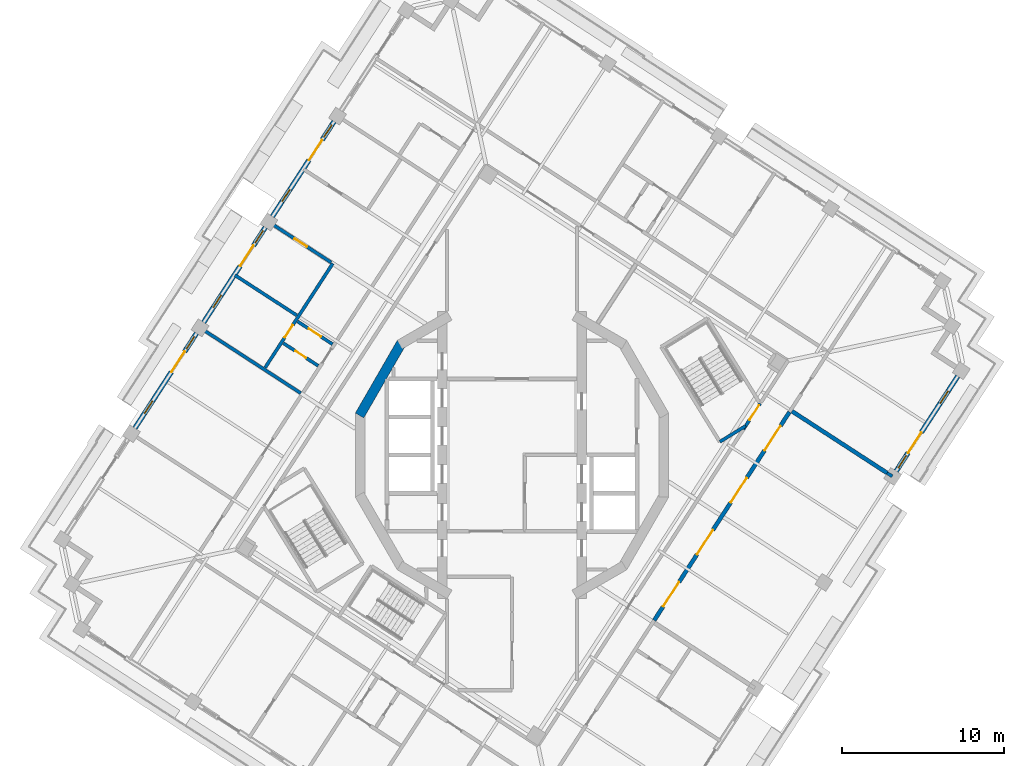
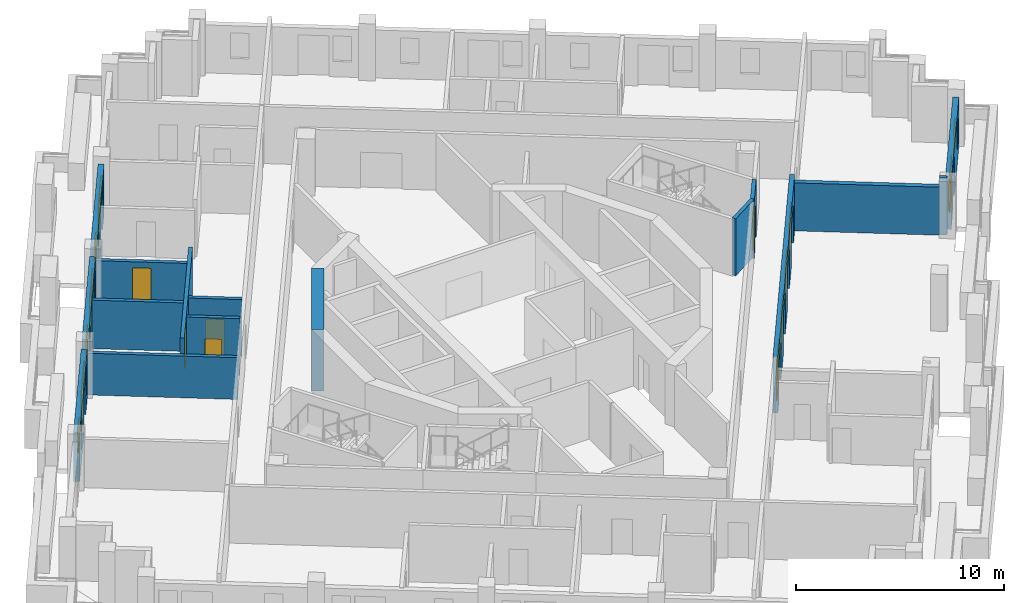
# One storey, part 7 of 15: 16 walls, 13 doors, 8 windows, 21 openings.
"""IFC4 building model written with IfcOpenShell, lengths in metres."""

from ifc_helpers import new_model, si_unit, direction, frame, frame_2d, origin, place, context, subcontext, project, spatial, rectangle, extrude, material, layer, layer_set, type_object, element, fill, save


model = new_model("IFC4")

# Units and contexts
model_context = context("Model", 3, precision=1e-05, world=origin(), true_north=direction((0.0, 1.0)))
body_context = subcontext(model_context, "Body", "Model", "MODEL_VIEW")
ifc_project = project(units=[si_unit("LENGTHUNIT", "METRE"), si_unit("AREAUNIT", "SQUARE_METRE"), si_unit("VOLUMEUNIT", "CUBIC_METRE"), si_unit("PLANEANGLEUNIT", "RADIAN"), si_unit("MASSUNIT", "GRAM", prefix="KILO")], contexts=[model_context])

# Site, building, storey
site_placement = place(None, origin())
site = spatial("IfcSite", under=ifc_project, at=site_placement, CompositionType="ELEMENT")
building_placement = place(site_placement, origin())
building = spatial("IfcBuilding", under=site, at=building_placement, Name="Cantera Rosa Tower", CompositionType="ELEMENT")
storey_placement = place(building_placement, frame((0.0, 0.0, 261.300048828125)))
storey = spatial("IfcBuildingStorey", under=building, at=storey_placement, Name="L58", CompositionType="ELEMENT", Elevation=261.300048828125)

# Wall, openings, windows, door
ifc_material_1 = material(Name="Hollow clay masonry with cantera stone cladding", Category="masonry")
ifc_layer_1 = layer(ifc_material_1, 0.300048828125)
ifc_layer_set_1 = layer_set([ifc_layer_1], Name="EW-LOGGIA 300 H2890")
wall_type_1 = type_object("IfcWallType", Name="EW-LOGGIA 300 H2890", PredefinedType="SOLIDWALL", material=ifc_layer_set_1)
wall_1_placement = place(storey_placement, frame((-10.970703125, 20.5625, 0.0), z_axis=(0.0, 0.0, 1.0), x_axis=(-0.544651451949, -0.838662504164, 0.0)))
wall_1 = element("IfcWall", 1, at=wall_1_placement, inside=storey, type_object=wall_type_1, Name="EN-L58-W08", PredefinedType="SOLIDWALL", context=body_context, shape_type="SweptSolid", body=[
    extrude(rectangle(XDim=6.980224609375, YDim=0.300048828125, at=frame_2d((3.490234375, 0.0))), origin(), (0.0, 0.0, 1.0), 2.889892578125),
])
opening_1_placement = place(wall_1_placement, frame((0.2451171875, 0.0, 0.89990234375)))
opening_1 = element("IfcOpeningElement", 2, at=opening_1_placement, cuts=wall_1, Name="Opening L58-W16", PredefinedType="OPENING", context=body_context, shape_type="SweptSolid", body=[
    extrude(rectangle(XDim=0.89990234375, YDim=1.5, at=frame_2d((0.449951171875, 0.75))), frame((0.0, 0.159912109375, 0.0), z_axis=(0.0, -1.0, 0.0), x_axis=(1.0, 0.0, 0.0)), (0.0, 0.0, 1.0), 0.320068359375),
])
opening_2_placement = place(wall_1_placement, frame((1.344970703125, 0.0, 0.0)))
opening_2 = element("IfcOpeningElement", 3, at=opening_2_placement, cuts=wall_1, Name="Opening L58-TD17", PredefinedType="OPENING", context=body_context, shape_type="SweptSolid", body=[
    extrude(rectangle(XDim=1.5, YDim=2.39990234375, at=frame_2d((0.75, 1.199951171875))), frame((0.0, 0.159912109375, 0.0), z_axis=(0.0, -1.0, 0.0), x_axis=(1.0, 0.0, 0.0)), (0.0, 0.0, 1.0), 0.320068359375),
])
opening_3_placement = place(wall_1_placement, frame((4.985107421875, 0.0, 0.89990234375)))
opening_3 = element("IfcOpeningElement", 4, at=opening_3_placement, cuts=wall_1, Name="Opening L58-W18", PredefinedType="OPENING", context=body_context, shape_type="SweptSolid", body=[
    extrude(rectangle(XDim=0.89990234375, YDim=1.5, at=frame_2d((0.449951171875, 0.75))), frame((0.0, 0.159912109375, 0.0), z_axis=(0.0, -1.0, 0.0), x_axis=(1.0, 0.0, 0.0)), (0.0, 0.0, 1.0), 0.320068359375),
])
ifc_material_2 = material(Name="Aluminium frame with clear glass", Category="aluminium")
window_type = type_object("IfcWindowType", Name="Residential window 900x1500", PartitioningType="SINGLE_PANEL", PredefinedType="WINDOW", material=ifc_material_2)
window_1_placement = place(opening_1_placement, origin())
window_1 = element("IfcWindow", 5, at=window_1_placement, inside=storey, type_object=window_type, Name="WINDOW L58-W16", OverallHeight=1.5, OverallWidth=0.89990234375, PartitioningType="SINGLE_PANEL", PredefinedType="WINDOW", context=body_context, shape_type="SweptSolid", body=[
    extrude(rectangle(XDim=0.89990234375, YDim=1.5, at=frame_2d((0.449951171875, 0.75))), frame((0.0, 0.030029296875, 0.0), z_axis=(0.0, -1.0, 0.0), x_axis=(1.0, 0.0, 0.0)), (0.0, 0.0, 1.0), 0.06005859375),
])
fill(opening_1, window_1)
window_2_placement = place(opening_3_placement, origin())
window_2 = element("IfcWindow", 6, at=window_2_placement, inside=storey, type_object=window_type, Name="WINDOW L58-W18", OverallHeight=1.5, OverallWidth=0.89990234375, PartitioningType="SINGLE_PANEL", PredefinedType="WINDOW", context=body_context, shape_type="SweptSolid", body=[
    extrude(rectangle(XDim=0.89990234375, YDim=1.5, at=frame_2d((0.449951171875, 0.75))), frame((0.0, 0.030029296875, 0.0), z_axis=(0.0, -1.0, 0.0), x_axis=(1.0, 0.0, 0.0)), (0.0, 0.0, 1.0), 0.06005859375),
])
fill(opening_3, window_2)
ifc_material_3 = material(Name="Aluminium frame with clear glass", Category="aluminium")
door_type_1 = type_object("IfcDoorType", Name="TD-R 1500x2400", OperationType="NOTDEFINED", PredefinedType="DOOR", material=ifc_material_3)
door_1_placement = place(opening_2_placement, origin())
door_1 = element("IfcDoor", 7, at=door_1_placement, inside=storey, type_object=door_type_1, Name="LOGGIA DOOR L58-TD17", OperationType="SLIDING_TO_LEFT", OverallHeight=2.39990234375, OverallWidth=1.5, PredefinedType="DOOR", context=body_context, shape_type="SweptSolid", body=[
    extrude(rectangle(XDim=1.5, YDim=2.39990234375, at=frame_2d((0.75, 1.199951171875))), frame((0.0, 0.02490234375, 0.0), z_axis=(0.0, -1.0, 0.0), x_axis=(1.0, 0.0, 0.0)), (0.0, 0.0, 1.0), 0.050048828125),
])
fill(opening_2, door_1)

wall_2_placement = place(storey_placement, frame((-15.2080078125, 14.03759765625, 0.0), z_axis=(0.0, 0.0, 1.0), x_axis=(-0.544651451949, -0.838662504164, 0.0)))
wall_2 = element("IfcWall", 8, at=wall_2_placement, inside=storey, type_object=wall_type_1, Name="EN-L58-W09", PredefinedType="SOLIDWALL", context=body_context, shape_type="SweptSolid", body=[
    extrude(rectangle(XDim=6.980224609375, YDim=0.300048828125, at=frame_2d((3.490234375, 0.0))), origin(), (0.0, 0.0, 1.0), 2.889892578125),
])
opening_4_placement = place(wall_2_placement, frame((0.2451171875, 0.0, 0.89990234375)))
opening_4 = element("IfcOpeningElement", 9, at=opening_4_placement, cuts=wall_2, Name="Opening L58-W19", PredefinedType="OPENING", context=body_context, shape_type="SweptSolid", body=[
    extrude(rectangle(XDim=0.89990234375, YDim=1.5, at=frame_2d((0.449951171875, 0.75))), frame((0.0, 0.159912109375, 0.0), z_axis=(0.0, -1.0, 0.0), x_axis=(1.0, 0.0, 0.0)), (0.0, 0.0, 1.0), 0.320068359375),
])
opening_5_placement = place(wall_2_placement, frame((1.344970703125, 0.0, 0.0)))
opening_5 = element("IfcOpeningElement", 10, at=opening_5_placement, cuts=wall_2, Name="Opening L58-TD20", PredefinedType="OPENING", context=body_context, shape_type="SweptSolid", body=[
    extrude(rectangle(XDim=1.5, YDim=2.39990234375, at=frame_2d((0.75, 1.199951171875))), frame((0.0, 0.159912109375, 0.0), z_axis=(0.0, -1.0, 0.0), x_axis=(1.0, 0.0, 0.0)), (0.0, 0.0, 1.0), 0.320068359375),
])
opening_6_placement = place(wall_2_placement, frame((4.985107421875, 0.0, 0.89990234375)))
opening_6 = element("IfcOpeningElement", 11, at=opening_6_placement, cuts=wall_2, Name="Opening L58-W21", PredefinedType="OPENING", context=body_context, shape_type="SweptSolid", body=[
    extrude(rectangle(XDim=0.89990234375, YDim=1.5, at=frame_2d((0.449951171875, 0.75))), frame((0.0, 0.159912109375, 0.0), z_axis=(0.0, -1.0, 0.0), x_axis=(1.0, 0.0, 0.0)), (0.0, 0.0, 1.0), 0.320068359375),
])
window_3_placement = place(opening_4_placement, origin())
window_3 = element("IfcWindow", 12, at=window_3_placement, inside=storey, type_object=window_type, Name="WINDOW L58-W19", OverallHeight=1.5, OverallWidth=0.89990234375, PartitioningType="SINGLE_PANEL", PredefinedType="WINDOW", context=body_context, shape_type="SweptSolid", body=[
    extrude(rectangle(XDim=0.89990234375, YDim=1.5, at=frame_2d((0.449951171875, 0.75))), frame((0.0, 0.030029296875, 0.0), z_axis=(0.0, -1.0, 0.0), x_axis=(1.0, 0.0, 0.0)), (0.0, 0.0, 1.0), 0.06005859375),
])
fill(opening_4, window_3)
window_4_placement = place(opening_6_placement, origin())
window_4 = element("IfcWindow", 13, at=window_4_placement, inside=storey, type_object=window_type, Name="WINDOW L58-W21", OverallHeight=1.5, OverallWidth=0.89990234375, PartitioningType="SINGLE_PANEL", PredefinedType="WINDOW", context=body_context, shape_type="SweptSolid", body=[
    extrude(rectangle(XDim=0.89990234375, YDim=1.5, at=frame_2d((0.449951171875, 0.75))), frame((0.0, 0.030029296875, 0.0), z_axis=(0.0, -1.0, 0.0), x_axis=(1.0, 0.0, 0.0)), (0.0, 0.0, 1.0), 0.06005859375),
])
fill(opening_6, window_4)
door_2_placement = place(opening_5_placement, origin())
door_2 = element("IfcDoor", 14, at=door_2_placement, inside=storey, type_object=door_type_1, Name="LOGGIA DOOR L58-TD20", OperationType="SLIDING_TO_LEFT", OverallHeight=2.39990234375, OverallWidth=1.5, PredefinedType="DOOR", context=body_context, shape_type="SweptSolid", body=[
    extrude(rectangle(XDim=1.5, YDim=2.39990234375, at=frame_2d((0.75, 1.199951171875))), frame((0.0, 0.02490234375, 0.0), z_axis=(0.0, -1.0, 0.0), x_axis=(1.0, 0.0, 0.0)), (0.0, 0.0, 1.0), 0.050048828125),
])
fill(opening_5, door_2)

wall_3_placement = place(storey_placement, frame((-19.4453125, 7.5126953125, 0.0), z_axis=(0.0, 0.0, 1.0), x_axis=(-0.544667428764, -0.838652128146, 0.0)))
wall_3 = element("IfcWall", 15, at=wall_3_placement, inside=storey, type_object=wall_type_1, Name="EN-L58-W10", PredefinedType="SOLIDWALL", context=body_context, shape_type="SweptSolid", body=[
    extrude(rectangle(XDim=6.97998046875, YDim=0.300048828125, at=frame_2d((3.489990234375, 0.0))), origin(), (0.0, 0.0, 1.0), 2.889892578125),
])
opening_7_placement = place(wall_3_placement, frame((0.2451171875, 0.0, 0.89990234375)))
opening_7 = element("IfcOpeningElement", 16, at=opening_7_placement, cuts=wall_3, Name="Opening L58-W22", PredefinedType="OPENING", context=body_context, shape_type="SweptSolid", body=[
    extrude(rectangle(XDim=0.89990234375, YDim=1.5, at=frame_2d((0.449951171875, 0.75))), frame((0.0, 0.159912109375, 0.0), z_axis=(0.0, -1.0, 0.0), x_axis=(1.0, 0.0, 0.0)), (0.0, 0.0, 1.0), 0.320068359375),
])
opening_8_placement = place(wall_3_placement, frame((1.344970703125, 0.0, 0.0)))
opening_8 = element("IfcOpeningElement", 17, at=opening_8_placement, cuts=wall_3, Name="Opening L58-TD23", PredefinedType="OPENING", context=body_context, shape_type="SweptSolid", body=[
    extrude(rectangle(XDim=1.5, YDim=2.39990234375, at=frame_2d((0.75, 1.199951171875))), frame((0.0, 0.159912109375, 0.0), z_axis=(0.0, -1.0, 0.0), x_axis=(1.0, 0.0, 0.0)), (0.0, 0.0, 1.0), 0.320068359375),
])
opening_9_placement = place(wall_3_placement, frame((4.985107421875, 0.0, 0.89990234375)))
opening_9 = element("IfcOpeningElement", 18, at=opening_9_placement, cuts=wall_3, Name="Opening L58-W24", PredefinedType="OPENING", context=body_context, shape_type="SweptSolid", body=[
    extrude(rectangle(XDim=0.89990234375, YDim=1.5, at=frame_2d((0.449951171875, 0.75))), frame((0.0, 0.159912109375, 0.0), z_axis=(0.0, -1.0, 0.0), x_axis=(1.0, 0.0, 0.0)), (0.0, 0.0, 1.0), 0.320068359375),
])
window_5_placement = place(opening_7_placement, origin())
window_5 = element("IfcWindow", 19, at=window_5_placement, inside=storey, type_object=window_type, Name="WINDOW L58-W22", OverallHeight=1.5, OverallWidth=0.89990234375, PartitioningType="SINGLE_PANEL", PredefinedType="WINDOW", context=body_context, shape_type="SweptSolid", body=[
    extrude(rectangle(XDim=0.89990234375, YDim=1.5, at=frame_2d((0.449951171875, 0.75))), frame((0.0, 0.030029296875, 0.0), z_axis=(0.0, -1.0, 0.0), x_axis=(1.0, 0.0, 0.0)), (0.0, 0.0, 1.0), 0.06005859375),
])
fill(opening_7, window_5)
window_6_placement = place(opening_9_placement, origin())
window_6 = element("IfcWindow", 20, at=window_6_placement, inside=storey, type_object=window_type, Name="WINDOW L58-W24", OverallHeight=1.5, OverallWidth=0.89990234375, PartitioningType="SINGLE_PANEL", PredefinedType="WINDOW", context=body_context, shape_type="SweptSolid", body=[
    extrude(rectangle(XDim=0.89990234375, YDim=1.5, at=frame_2d((0.449951171875, 0.75))), frame((0.0, 0.030029296875, 0.0), z_axis=(0.0, -1.0, 0.0), x_axis=(1.0, 0.0, 0.0)), (0.0, 0.0, 1.0), 0.06005859375),
])
fill(opening_9, window_6)
door_3_placement = place(opening_8_placement, origin())
door_3 = element("IfcDoor", 21, at=door_3_placement, inside=storey, type_object=door_type_1, Name="LOGGIA DOOR L58-TD23", OperationType="SLIDING_TO_LEFT", OverallHeight=2.39990234375, OverallWidth=1.5, PredefinedType="DOOR", context=body_context, shape_type="SweptSolid", body=[
    extrude(rectangle(XDim=1.5, YDim=2.39990234375, at=frame_2d((0.75, 1.199951171875))), frame((0.0, 0.02490234375, 0.0), z_axis=(0.0, -1.0, 0.0), x_axis=(1.0, 0.0, 0.0)), (0.0, 0.0, 1.0), 0.050048828125),
])
fill(opening_8, door_3)

wall_4_placement = place(storey_placement, frame((23.6826171875, -0.98779296875, 0.0), z_axis=(0.0, 0.0, 1.0), x_axis=(0.544667428764, 0.838652128146, 0.0)))
wall_4 = element("IfcWall", 22, at=wall_4_placement, inside=storey, type_object=wall_type_1, Name="EN-L58-W24", PredefinedType="SOLIDWALL", context=body_context, shape_type="SweptSolid", body=[
    extrude(rectangle(XDim=6.97998046875, YDim=0.300048828125, at=frame_2d((3.489990234375, 0.0))), origin(), (0.0, 0.0, 1.0), 2.889892578125),
])
opening_10_placement = place(wall_4_placement, frame((0.2451171875, 0.0, 0.89990234375)))
opening_10 = element("IfcOpeningElement", 23, at=opening_10_placement, cuts=wall_4, Name="Opening L58-W46", PredefinedType="OPENING", context=body_context, shape_type="SweptSolid", body=[
    extrude(rectangle(XDim=0.89990234375, YDim=1.5, at=frame_2d((0.449951171875, 0.75))), frame((0.0, 0.159912109375, 0.0), z_axis=(0.0, -1.0, 0.0), x_axis=(1.0, 0.0, 0.0)), (0.0, 0.0, 1.0), 0.320068359375),
])
opening_11_placement = place(wall_4_placement, frame((1.344970703125, 0.0, 0.0)))
opening_11 = element("IfcOpeningElement", 24, at=opening_11_placement, cuts=wall_4, Name="Opening L58-TD47", PredefinedType="OPENING", context=body_context, shape_type="SweptSolid", body=[
    extrude(rectangle(XDim=1.5, YDim=2.39990234375, at=frame_2d((0.75, 1.199951171875))), frame((0.0, 0.159912109375, 0.0), z_axis=(0.0, -1.0, 0.0), x_axis=(1.0, 0.0, 0.0)), (0.0, 0.0, 1.0), 0.320068359375),
])
opening_12_placement = place(wall_4_placement, frame((4.985107421875, 0.0, 0.89990234375)))
opening_12 = element("IfcOpeningElement", 25, at=opening_12_placement, cuts=wall_4, Name="Opening L58-W48", PredefinedType="OPENING", context=body_context, shape_type="SweptSolid", body=[
    extrude(rectangle(XDim=0.89990234375, YDim=1.5, at=frame_2d((0.449951171875, 0.75))), frame((0.0, 0.159912109375, 0.0), z_axis=(0.0, -1.0, 0.0), x_axis=(1.0, 0.0, 0.0)), (0.0, 0.0, 1.0), 0.320068359375),
])
window_7_placement = place(opening_10_placement, origin())
window_7 = element("IfcWindow", 26, at=window_7_placement, inside=storey, type_object=window_type, Name="WINDOW L58-W46", OverallHeight=1.5, OverallWidth=0.89990234375, PartitioningType="SINGLE_PANEL", PredefinedType="WINDOW", context=body_context, shape_type="SweptSolid", body=[
    extrude(rectangle(XDim=0.89990234375, YDim=1.5, at=frame_2d((0.449951171875, 0.75))), frame((0.0, 0.030029296875, 0.0), z_axis=(0.0, -1.0, 0.0), x_axis=(1.0, 0.0, 0.0)), (0.0, 0.0, 1.0), 0.06005859375),
])
fill(opening_10, window_7)
window_8_placement = place(opening_12_placement, origin())
window_8 = element("IfcWindow", 27, at=window_8_placement, inside=storey, type_object=window_type, Name="WINDOW L58-W48", OverallHeight=1.5, OverallWidth=0.89990234375, PartitioningType="SINGLE_PANEL", PredefinedType="WINDOW", context=body_context, shape_type="SweptSolid", body=[
    extrude(rectangle(XDim=0.89990234375, YDim=1.5, at=frame_2d((0.449951171875, 0.75))), frame((0.0, 0.030029296875, 0.0), z_axis=(0.0, -1.0, 0.0), x_axis=(1.0, 0.0, 0.0)), (0.0, 0.0, 1.0), 0.06005859375),
])
fill(opening_12, window_8)
door_4_placement = place(opening_11_placement, origin())
door_4 = element("IfcDoor", 28, at=door_4_placement, inside=storey, type_object=door_type_1, Name="LOGGIA DOOR L58-TD47", OperationType="SLIDING_TO_LEFT", OverallHeight=2.39990234375, OverallWidth=1.5, PredefinedType="DOOR", context=body_context, shape_type="SweptSolid", body=[
    extrude(rectangle(XDim=1.5, YDim=2.39990234375, at=frame_2d((0.75, 1.199951171875))), frame((0.0, 0.02490234375, 0.0), z_axis=(0.0, -1.0, 0.0), x_axis=(1.0, 0.0, 0.0)), (0.0, 0.0, 1.0), 0.050048828125),
])
fill(opening_11, door_4)

# Wall
ifc_material_4 = material(Name="Concrete C40/50", Category="concrete")
ifc_layer_2 = layer(ifc_material_4, 0.25)
ifc_layer_set_2 = layer_set([ifc_layer_2], Name="EW-POCKET CHEEK 250 H2820")
wall_type_2 = type_object("IfcWallType", Name="EW-POCKET CHEEK 250 H2820", PredefinedType="SOLIDWALL", material=ifc_layer_set_2)
wall_5_placement = place(storey_placement, frame((23.12939453125, -1.10546875, 0.0), z_axis=(0.0, 0.0, 1.0), x_axis=(-0.838675417097, 0.544631567904, 0.0)))
element("IfcWall", 29, at=wall_5_placement, inside=storey, type_object=wall_type_2, Name="POCKET CHEEK B L58", PredefinedType="SOLIDWALL", context=body_context, shape_type="SweptSolid", body=[
    extrude(rectangle(XDim=7.000244140625, YDim=0.25, at=frame_2d((3.5, 0.0))), origin(), (0.0, 0.0, 1.0), 2.820068359375),
])

# Wall, openings, doors
ifc_material_5 = material(Name="Hollow clay masonry with cantera stone cladding", Category="masonry")
ifc_layer_3 = layer(ifc_material_5, 0.25)
ifc_layer_set_3 = layer_set([ifc_layer_3], Name="EW-POCKET REAR 250")
wall_type_3 = type_object("IfcWallType", Name="EW-POCKET REAR 250", PredefinedType="SOLIDWALL", material=ifc_layer_set_3)
wall_6_placement = place(storey_placement, frame((8.768310546875, -10.183349609375, 0.0), z_axis=(0.0, 0.0, 1.0), x_axis=(0.544643026458, 0.838667975859, 0.0)))
wall_6 = element("IfcWall", 30, at=wall_6_placement, inside=storey, type_object=wall_type_3, Name="POCKET REAR L58", PredefinedType="SOLIDWALL", context=body_context, shape_type="SweptSolid", body=[
    extrude(rectangle(XDim=15.309814453125, YDim=0.25, at=frame_2d((7.65478515625, 0.0))), origin(), (0.0, 0.0, 1.0), 3.300048828125),
])
opening_13_placement = place(wall_6_placement, frame((1.013671875, 0.0, 0.0)))
opening_13 = element("IfcOpeningElement", 31, at=opening_13_placement, cuts=wall_6, Name="Opening L58-LT01", PredefinedType="OPENING", context=body_context, shape_type="SweptSolid", body=[
    extrude(rectangle(XDim=1.800048828125, YDim=2.39990234375, at=frame_2d((0.89990234375, 1.199951171875))), frame((0.0, 0.135009765625, 0.0), z_axis=(0.0, -1.0, 0.0), x_axis=(1.0, 0.0, 0.0)), (0.0, 0.0, 1.0), 0.27001953125),
])
opening_14_placement = place(wall_6_placement, frame((4.84130859375, 0.0, 0.0)))
opening_14 = element("IfcOpeningElement", 32, at=opening_14_placement, cuts=wall_6, Name="Opening L58-LT02", PredefinedType="OPENING", context=body_context, shape_type="SweptSolid", body=[
    extrude(rectangle(XDim=1.800048828125, YDim=2.39990234375, at=frame_2d((0.89990234375, 1.199951171875))), frame((0.0, 0.135009765625, 0.0), z_axis=(0.0, -1.0, 0.0), x_axis=(1.0, 0.0, 0.0)), (0.0, 0.0, 1.0), 0.27001953125),
])
opening_15_placement = place(wall_6_placement, frame((8.668701171875, 0.0, 0.0)))
opening_15 = element("IfcOpeningElement", 33, at=opening_15_placement, cuts=wall_6, Name="Opening L58-LT03", PredefinedType="OPENING", context=body_context, shape_type="SweptSolid", body=[
    extrude(rectangle(XDim=1.800048828125, YDim=2.39990234375, at=frame_2d((0.89990234375, 1.199951171875))), frame((0.0, 0.135009765625, 0.0), z_axis=(0.0, -1.0, 0.0), x_axis=(1.0, 0.0, 0.0)), (0.0, 0.0, 1.0), 0.27001953125),
])
opening_16_placement = place(wall_6_placement, frame((12.496337890625, 0.0, 0.0)))
opening_16 = element("IfcOpeningElement", 34, at=opening_16_placement, cuts=wall_6, Name="Opening L58-LT04", PredefinedType="OPENING", context=body_context, shape_type="SweptSolid", body=[
    extrude(rectangle(XDim=1.800048828125, YDim=2.39990234375, at=frame_2d((0.89990234375, 1.199951171875))), frame((0.0, 0.135009765625, 0.0), z_axis=(0.0, -1.0, 0.0), x_axis=(1.0, 0.0, 0.0)), (0.0, 0.0, 1.0), 0.27001953125),
])
ifc_material_6 = material(Name="Aluminium frame with clear glass", Category="aluminium")
door_type_2 = type_object("IfcDoorType", Name="TD-T 1800x2400", OperationType="NOTDEFINED", PredefinedType="DOOR", material=ifc_material_6)
door_5_placement = place(opening_13_placement, origin())
door_5 = element("IfcDoor", 35, at=door_5_placement, inside=storey, type_object=door_type_2, Name="TERRACE DOOR L58-LT01", OperationType="DOUBLE_DOOR_SINGLE_SWING", OverallHeight=2.39990234375, OverallWidth=1.800048828125, PredefinedType="DOOR", context=body_context, shape_type="SweptSolid", body=[
    extrude(rectangle(XDim=1.800048828125, YDim=2.39990234375, at=frame_2d((0.89990234375, 1.199951171875))), frame((0.0, 0.02490234375, 0.0), z_axis=(0.0, -1.0, 0.0), x_axis=(1.0, 0.0, 0.0)), (0.0, 0.0, 1.0), 0.050048828125),
])
fill(opening_13, door_5)
door_6_placement = place(opening_14_placement, origin())
door_6 = element("IfcDoor", 36, at=door_6_placement, inside=storey, type_object=door_type_2, Name="TERRACE DOOR L58-LT02", OperationType="DOUBLE_DOOR_SINGLE_SWING", OverallHeight=2.39990234375, OverallWidth=1.800048828125, PredefinedType="DOOR", context=body_context, shape_type="SweptSolid", body=[
    extrude(rectangle(XDim=1.800048828125, YDim=2.39990234375, at=frame_2d((0.89990234375, 1.199951171875))), frame((0.0, 0.02490234375, 0.0), z_axis=(0.0, -1.0, 0.0), x_axis=(1.0, 0.0, 0.0)), (0.0, 0.0, 1.0), 0.050048828125),
])
fill(opening_14, door_6)
door_7_placement = place(opening_15_placement, origin())
door_7 = element("IfcDoor", 37, at=door_7_placement, inside=storey, type_object=door_type_2, Name="TERRACE DOOR L58-LT03", OperationType="DOUBLE_DOOR_SINGLE_SWING", OverallHeight=2.39990234375, OverallWidth=1.800048828125, PredefinedType="DOOR", context=body_context, shape_type="SweptSolid", body=[
    extrude(rectangle(XDim=1.800048828125, YDim=2.39990234375, at=frame_2d((0.89990234375, 1.199951171875))), frame((0.0, 0.02490234375, 0.0), z_axis=(0.0, -1.0, 0.0), x_axis=(1.0, 0.0, 0.0)), (0.0, 0.0, 1.0), 0.050048828125),
])
fill(opening_15, door_7)
door_8_placement = place(opening_16_placement, origin())
door_8 = element("IfcDoor", 38, at=door_8_placement, inside=storey, type_object=door_type_2, Name="TERRACE DOOR L58-LT04", OperationType="DOUBLE_DOOR_SINGLE_SWING", OverallHeight=2.39990234375, OverallWidth=1.800048828125, PredefinedType="DOOR", context=body_context, shape_type="SweptSolid", body=[
    extrude(rectangle(XDim=1.800048828125, YDim=2.39990234375, at=frame_2d((0.89990234375, 1.199951171875))), frame((0.0, 0.02490234375, 0.0), z_axis=(0.0, -1.0, 0.0), x_axis=(1.0, 0.0, 0.0)), (0.0, 0.0, 1.0), 0.050048828125),
])
fill(opening_16, door_8)

# Wall, opening, door
ifc_material_7 = material(Name="Gypsum board partition")
ifc_layer_4 = layer(ifc_material_7, 0.199951171875)
ifc_layer_set_4 = layer_set([ifc_layer_4], Name="PARTITION 200 H2450")
wall_type_4 = type_object("IfcWallType", Name="PARTITION 200 H2450", PredefinedType="PARTITIONING", material=ifc_layer_set_4)
wall_7_placement = place(storey_placement, frame((-14.965087890625, 14.356689453125, 0.0), z_axis=(0.0, 0.0, 1.0), x_axis=(0.8386764669, -0.544629951314, 0.0)))
wall_7 = element("IfcWall", 39, at=wall_7_placement, inside=storey, type_object=wall_type_4, Name="PARTITION L58-012", PredefinedType="PARTITIONING", context=body_context, shape_type="SweptSolid", body=[
    extrude(rectangle(XDim=4.550048828125, YDim=0.199951171875, at=frame_2d((2.27490234375, 0.0))), origin(), (0.0, 0.0, 1.0), 2.449951171875),
])
opening_17_placement = place(wall_7_placement, frame((1.8701171875, 0.0, 0.0)))
opening_17 = element("IfcOpeningElement", 40, at=opening_17_placement, cuts=wall_7, Name="Opening L58-029", PredefinedType="OPENING", context=body_context, shape_type="SweptSolid", body=[
    extrude(rectangle(XDim=0.89990234375, YDim=2.10009765625, at=frame_2d((0.449951171875, 1.050048828125))), frame((0.0, 0.10986328125, 0.0), z_axis=(0.0, -1.0, 0.0), x_axis=(1.0, 0.0, 0.0)), (0.0, 0.0, 1.0), 0.219970703125),
])
ifc_material_8 = material(Name="Timber door leaf", Category="wood")
door_type_3 = type_object("IfcDoorType", Name="ROOM DOOR 900x2100", OperationType="NOTDEFINED", PredefinedType="DOOR", material=ifc_material_8)
door_9_placement = place(opening_17_placement, origin())
door_9 = element("IfcDoor", 41, at=door_9_placement, inside=storey, type_object=door_type_3, Name="DOOR L58-029", OperationType="NOTDEFINED", OverallHeight=2.10009765625, OverallWidth=0.89990234375, PredefinedType="DOOR", context=body_context, shape_type="SweptSolid", body=[
    extrude(rectangle(XDim=0.89990234375, YDim=2.10009765625, at=frame_2d((0.449951171875, 1.050048828125))), frame((0.0, 0.02490234375, 0.0), z_axis=(0.0, -1.0, 0.0), x_axis=(1.0, 0.0, 0.0)), (0.0, 0.0, 1.0), 0.050048828125),
])
fill(opening_17, door_9)

# Wall
ifc_material_9 = material(Name="Gypsum board partition")
ifc_layer_5 = layer(ifc_material_9, 0.199951171875)
ifc_layer_set_5 = layer_set([ifc_layer_5], Name="PARTITION 200 H2850")
wall_type_5 = type_object("IfcWallType", Name="PARTITION 200 H2850", PredefinedType="PARTITIONING", material=ifc_layer_set_5)
wall_8_placement = place(storey_placement, frame((-17.083740234375, 11.09423828125, 0.0), z_axis=(0.0, 0.0, 1.0), x_axis=(0.8386764669, -0.544629951314, 0.0)))
element("IfcWall", 42, at=wall_8_placement, inside=storey, type_object=wall_type_5, Name="PARTITION L58-004", PredefinedType="PARTITIONING", context=body_context, shape_type="SweptSolid", body=[
    extrude(rectangle(XDim=4.550048828125, YDim=0.199951171875, at=frame_2d((2.27490234375, 0.0))), origin(), (0.0, 0.0, 1.0), 2.849853515625),
])

# Wall, opening, door
ifc_material_10 = material(Name="Gypsum board partition")
ifc_layer_6 = layer(ifc_material_10, 0.199951171875)
ifc_layer_set_6 = layer_set([ifc_layer_6], Name="PARTITION 200 H3350")
wall_type_6 = type_object("IfcWallType", Name="PARTITION 200 H3350", PredefinedType="PARTITIONING", material=ifc_layer_set_6)
wall_9_placement = place(storey_placement, frame((-15.220458984375, 5.388916015625, 0.0), z_axis=(0.0, 0.0, 1.0), x_axis=(0.544627570383, 0.838678013053, 0.0)))
wall_9 = element("IfcWall", 43, at=wall_9_placement, inside=storey, type_object=wall_type_6, Name="PARTITION L58-011", PredefinedType="PARTITIONING", context=body_context, shape_type="SweptSolid", body=[
    extrude(rectangle(XDim=7.66015625, YDim=0.199951171875, at=frame_2d((3.830078125, 0.0))), origin(), (0.0, 0.0, 1.0), 3.349853515625),
])
opening_18_placement = place(wall_9_placement, frame((2.22998046875, 0.0, 0.0)))
opening_18 = element("IfcOpeningElement", 44, at=opening_18_placement, cuts=wall_9, Name="Opening L58-028", PredefinedType="OPENING", context=body_context, shape_type="SweptSolid", body=[
    extrude(rectangle(XDim=0.89990234375, YDim=2.10009765625, at=frame_2d((0.449951171875, 1.050048828125))), frame((0.0, 0.10986328125, 0.0), z_axis=(0.0, -1.0, 0.0), x_axis=(1.0, 0.0, 0.0)), (0.0, 0.0, 1.0), 0.219970703125),
])
door_10_placement = place(opening_18_placement, origin())
door_10 = element("IfcDoor", 45, at=door_10_placement, inside=storey, type_object=door_type_3, Name="DOOR L58-028", OperationType="NOTDEFINED", OverallHeight=2.10009765625, OverallWidth=0.89990234375, PredefinedType="DOOR", context=body_context, shape_type="SweptSolid", body=[
    extrude(rectangle(XDim=0.89990234375, YDim=2.10009765625, at=frame_2d((0.449951171875, 1.050048828125))), frame((0.0, 0.02490234375, 0.0), z_axis=(0.0, -1.0, 0.0), x_axis=(1.0, 0.0, 0.0)), (0.0, 0.0, 1.0), 0.050048828125),
])
fill(opening_18, door_10)

wall_10_placement = place(storey_placement, frame((-14.095947265625, 6.900390625, 0.0), z_axis=(0.0, 0.0, 1.0), x_axis=(0.838665792468, -0.544646388536, 0.0)))
wall_10 = element("IfcWall", 46, at=wall_10_placement, inside=storey, type_object=wall_type_6, Name="PARTITION L58-014", PredefinedType="PARTITIONING", context=body_context, shape_type="SweptSolid", body=[
    extrude(rectangle(XDim=2.56005859375, YDim=0.199951171875, at=frame_2d((1.280029296875, 0.0))), origin(), (0.0, 0.0, 1.0), 3.349853515625),
])
opening_19_placement = place(wall_10_placement, frame((0.8798828125, 0.0, 0.0)))
opening_19 = element("IfcOpeningElement", 47, at=opening_19_placement, cuts=wall_10, Name="Opening L58-026", PredefinedType="OPENING", context=body_context, shape_type="SweptSolid", body=[
    extrude(rectangle(XDim=0.800048828125, YDim=2.10009765625, at=frame_2d((0.39990234375, 1.050048828125))), frame((0.0, 0.10986328125, 0.0), z_axis=(0.0, -1.0, 0.0), x_axis=(1.0, 0.0, 0.0)), (0.0, 0.0, 1.0), 0.219970703125),
])
ifc_material_11 = material(Name="Timber door leaf", Category="wood")
door_type_4 = type_object("IfcDoorType", Name="BATHROOM DOOR 800x2100", OperationType="NOTDEFINED", PredefinedType="DOOR", material=ifc_material_11)
door_11_placement = place(opening_19_placement, origin())
door_11 = element("IfcDoor", 48, at=door_11_placement, inside=storey, type_object=door_type_4, Name="DOOR L58-026", OperationType="NOTDEFINED", OverallHeight=2.10009765625, OverallWidth=0.800048828125, PredefinedType="DOOR", context=body_context, shape_type="SweptSolid", body=[
    extrude(rectangle(XDim=0.800048828125, YDim=2.10009765625, at=frame_2d((0.39990234375, 1.050048828125))), frame((0.0, 0.02490234375, 0.0), z_axis=(0.0, -1.0, 0.0), x_axis=(1.0, 0.0, 0.0)), (0.0, 0.0, 1.0), 0.050048828125),
])
fill(opening_19, door_11)

wall_11_placement = place(storey_placement, frame((-13.224365234375, 8.2421875, 0.0), z_axis=(0.0, 0.0, 1.0), x_axis=(0.838672733248, -0.544635700727, 0.0)))
wall_11 = element("IfcWall", 49, at=wall_11_placement, inside=storey, type_object=wall_type_6, Name="PARTITION L58-016", PredefinedType="PARTITIONING", context=body_context, shape_type="SweptSolid", body=[
    extrude(rectangle(XDim=2.579833984375, YDim=0.199951171875, at=frame_2d((1.2900390625, 0.0))), origin(), (0.0, 0.0, 1.0), 3.349853515625),
])
opening_20_placement = place(wall_11_placement, frame((0.830078125, 0.0, 0.0)))
opening_20 = element("IfcOpeningElement", 50, at=opening_20_placement, cuts=wall_11, Name="Opening L58-027", PredefinedType="OPENING", context=body_context, shape_type="SweptSolid", body=[
    extrude(rectangle(XDim=0.89990234375, YDim=2.10009765625, at=frame_2d((0.449951171875, 1.050048828125))), frame((0.0, 0.10986328125, 0.0), z_axis=(0.0, -1.0, 0.0), x_axis=(1.0, 0.0, 0.0)), (0.0, 0.0, 1.0), 0.219970703125),
])
door_12_placement = place(opening_20_placement, origin())
door_12 = element("IfcDoor", 51, at=door_12_placement, inside=storey, type_object=door_type_3, Name="DOOR L58-027", OperationType="NOTDEFINED", OverallHeight=2.10009765625, OverallWidth=0.89990234375, PredefinedType="DOOR", context=body_context, shape_type="SweptSolid", body=[
    extrude(rectangle(XDim=0.89990234375, YDim=2.10009765625, at=frame_2d((0.449951171875, 1.050048828125))), frame((0.0, 0.02490234375, 0.0), z_axis=(0.0, -1.0, 0.0), x_axis=(1.0, 0.0, 0.0)), (0.0, 0.0, 1.0), 0.050048828125),
])
fill(opening_20, door_12)

# Walls
wall_12_placement = place(storey_placement, frame((23.439697265625, -1.306884765625, 0.0), z_axis=(0.0, 0.0, 1.0), x_axis=(-0.838790236691, 0.544454716971, 0.0)))
element("IfcWall", 52, at=wall_12_placement, inside=storey, type_object=wall_type_6, Name="PARTITION L58-099", PredefinedType="PARTITIONING", context=body_context, shape_type="SweptSolid", body=[
    extrude(rectangle(XDim=0.369873046875, YDim=0.199951171875, at=frame_2d((0.18505859375, 0.0))), origin(), (0.0, 0.0, 1.0), 3.349853515625),
])
ifc_material_12 = material(Name="Gypsum board partition")
ifc_layer_7 = layer(ifc_material_12, 0.199951171875)
ifc_layer_set_7 = layer_set([ifc_layer_7], Name="PARTY WALL 200 H2450")
wall_type_7 = type_object("IfcWallType", Name="PARTY WALL 200 H2450", PredefinedType="PARTITIONING", material=ifc_layer_set_7)
wall_13_placement = place(storey_placement, frame((-13.021484375, 3.81787109375, 0.0), z_axis=(0.0, 0.0, 1.0), x_axis=(-0.838671355338, 0.544637822535, 0.0)))
element("IfcWall", 53, at=wall_13_placement, inside=storey, type_object=wall_type_7, Name="PARTY WALL L58-017", PredefinedType="PARTITIONING", context=body_context, shape_type="SweptSolid", body=[
    extrude(rectangle(XDim=7.369873046875, YDim=0.199951171875, at=frame_2d((3.68505859375, 0.0))), origin(), (0.0, 0.0, 1.0), 2.449951171875),
])
ifc_material_13 = material(Name="Concrete C50/60", Category="concrete")
ifc_layer_8 = layer(ifc_material_13, 0.60009765625)
ifc_layer_set_8 = layer_set([ifc_layer_8], Name="RC CORE WALL 600 C50/60")
wall_type_8 = type_object("IfcWallType", Name="RC CORE WALL 600 C50/60", PredefinedType="SHEAR", material=ifc_layer_set_8)
wall_14_placement = place(storey_placement, frame((-9.3994140625, 2.438232421875, 0.0), z_axis=(0.0, 0.0, 1.0), x_axis=(0.499989188378, 0.866031645787, 0.0)))
element("IfcWall", 54, at=wall_14_placement, inside=storey, type_object=wall_type_8, Name="CW-W4 L58", PredefinedType="SHEAR", context=body_context, shape_type="SweptSolid", body=[
    extrude(rectangle(XDim=5.17626953125, YDim=0.60009765625, at=frame_2d((2.588134765625, 0.0))), origin(), (0.0, 0.0, 1.0), 3.599853515625),
])
ifc_material_14 = material(Name="Concrete C50/60", Category="concrete")
ifc_layer_9 = layer(ifc_material_14, 0.199951171875)
ifc_layer_set_9 = layer_set([ifc_layer_9], Name="STAIR WALL 200 H3350")
wall_type_9 = type_object("IfcWallType", Name="STAIR WALL 200 H3350", PredefinedType="SOLIDWALL", material=ifc_layer_set_9)
wall_15_placement = place(storey_placement, frame((12.811279296875, 0.818359375, 0.0), z_axis=(0.0, 0.0, 1.0), x_axis=(0.851125244186, 0.524962683158, 0.0)))
element("IfcWall", 55, at=wall_15_placement, inside=storey, type_object=wall_type_9, Name="STAIR WALL L58-089", PredefinedType="SOLIDWALL", context=body_context, shape_type="SweptSolid", body=[
    extrude(rectangle(XDim=1.872802734375, YDim=0.199951171875, at=frame_2d((0.9365234375, 0.0))), origin(), (0.0, 0.0, 1.0), 3.349853515625),
])

# Wall, opening, door
wall_16_placement = place(storey_placement, frame((14.268310546875, 1.5908203125, 0.0), z_axis=(0.0, 0.0, 1.0), x_axis=(0.544651565877, 0.838662430176, 0.0)))
wall_16 = element("IfcWall", 56, at=wall_16_placement, inside=storey, type_object=wall_type_9, Name="STAIR WALL L58-091", PredefinedType="SOLIDWALL", context=body_context, shape_type="SweptSolid", body=[
    extrude(rectangle(XDim=1.8857421875, YDim=0.199951171875, at=frame_2d((0.94287109375, 0.0))), origin(), (0.0, 0.0, 1.0), 3.349853515625),
])
opening_21_placement = place(wall_16_placement, frame((0.6689453125, 0.0, 0.0)))
opening_21 = element("IfcOpeningElement", 57, at=opening_21_placement, cuts=wall_16, Name="Opening L58-001", PredefinedType="OPENING", context=body_context, shape_type="SweptSolid", body=[
    extrude(rectangle(XDim=1.10009765625, YDim=2.10009765625, at=frame_2d((0.550048828125, 1.050048828125))), frame((0.0, 0.10986328125, 0.0), z_axis=(0.0, -1.0, 0.0), x_axis=(1.0, 0.0, 0.0)), (0.0, 0.0, 1.0), 0.219970703125),
])
ifc_material_15 = material(Name="Steel S355J2 (EN 10025-2)", Category="steel")
door_type_5 = type_object("IfcDoorType", Name="STAIR DOOR 1100x2100", OperationType="NOTDEFINED", PredefinedType="DOOR", material=ifc_material_15)
door_13_placement = place(opening_21_placement, origin())
door_13 = element("IfcDoor", 58, at=door_13_placement, inside=storey, type_object=door_type_5, Name="DOOR L58-001", OperationType="NOTDEFINED", OverallHeight=2.10009765625, OverallWidth=1.10009765625, PredefinedType="DOOR", context=body_context, shape_type="SweptSolid", body=[
    extrude(rectangle(XDim=1.10009765625, YDim=2.10009765625, at=frame_2d((0.550048828125, 1.050048828125))), frame((0.0, 0.02490234375, 0.0), z_axis=(0.0, -1.0, 0.0), x_axis=(1.0, 0.0, 0.0)), (0.0, 0.0, 1.0), 0.050048828125),
])
fill(opening_21, door_13)

save(model, "model.ifc")
